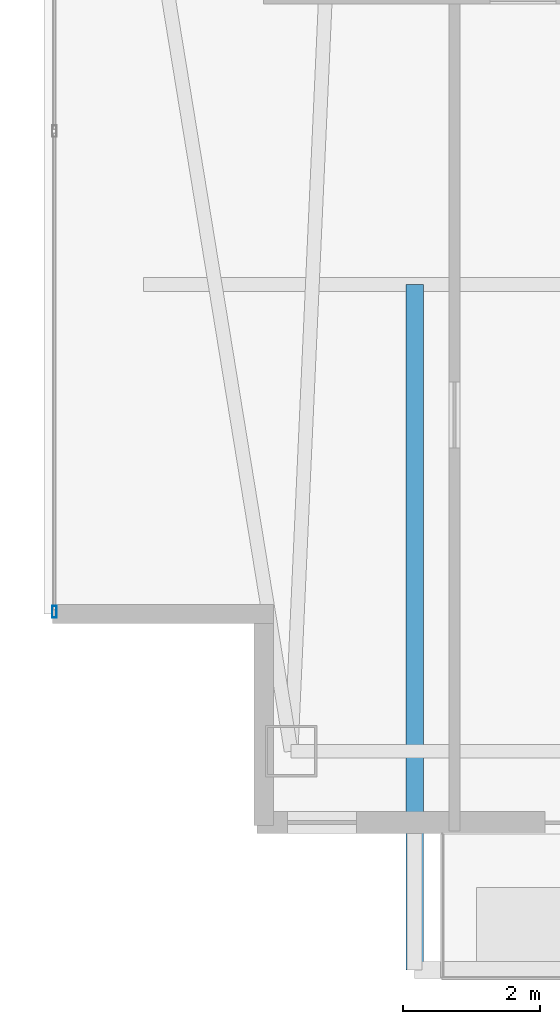
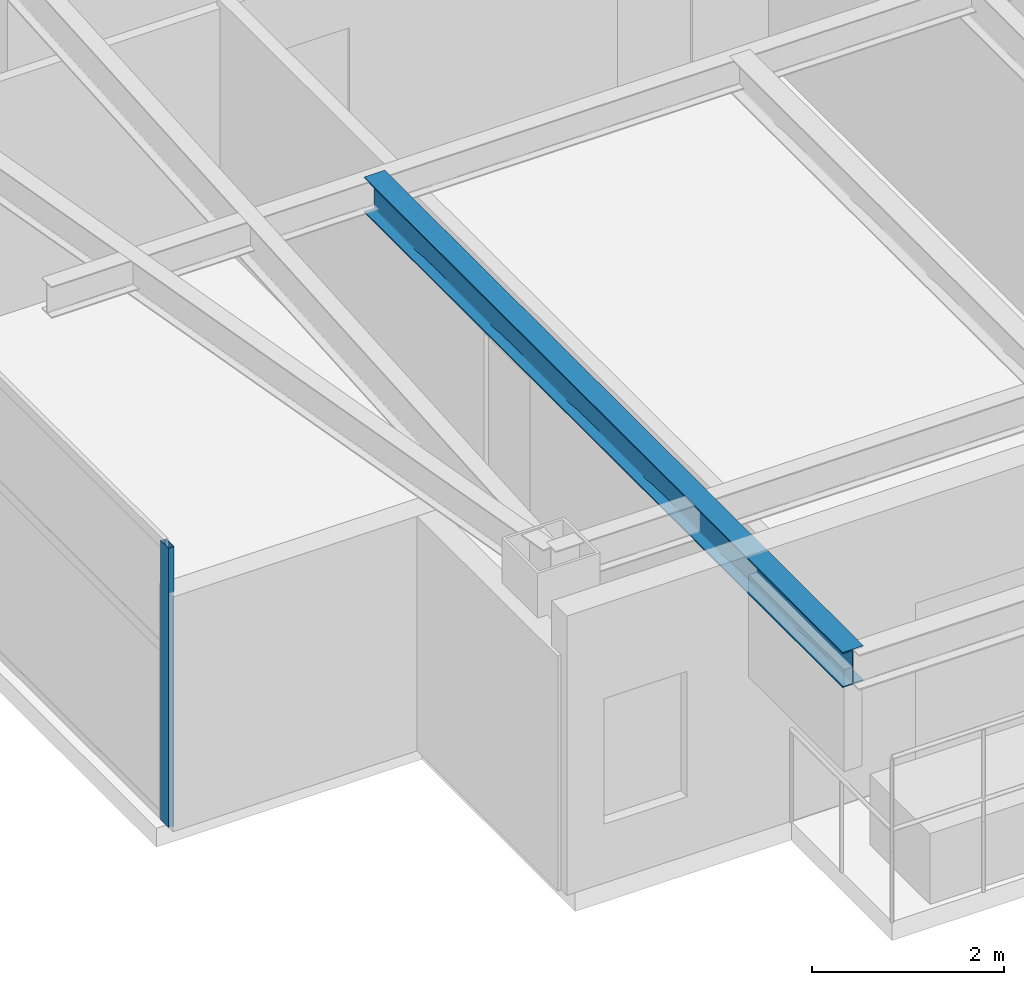
# One storey, part 2 of 28: 1 beam, 1 member, 1 element without a shape of its own.
"""IFC4 building model written with IfcOpenShell, lengths in metres."""

from ifc_helpers import new_model, si_unit, direction, frame, origin, origin_2d, place, context, subcontext, project, spatial, hollow_rectangle, i_section, extrude, material, layer, layer_set, material_profile, profile_set, type_object, element, aggregate, save


model = new_model("IFC4")

# Units and contexts
model_context = context("Model", 3, precision=1e-05, world=origin(), true_north=direction((0.0, 1.0)))
body_context = subcontext(model_context, "Body", "Model", "MODEL_VIEW")
ifc_project = project(units=[si_unit("LENGTHUNIT", "METRE"), si_unit("AREAUNIT", "SQUARE_METRE"), si_unit("VOLUMEUNIT", "CUBIC_METRE"), si_unit("PLANEANGLEUNIT", "RADIAN"), si_unit("MASSUNIT", "GRAM", prefix="KILO")], contexts=[model_context])

# Site, building, storey
site_placement = place(None, origin())
site = spatial("IfcSite", under=ifc_project, at=site_placement, CompositionType="ELEMENT")
building_placement = place(site_placement, origin())
building = spatial("IfcBuilding", under=site, at=building_placement, Name="Calvorn Quay Hotel", CompositionType="ELEMENT")
storey_placement = place(building_placement, frame((0.0, 0.0, 274.89990234375)))
storey = spatial("IfcBuildingStorey", under=building, at=storey_placement, Name="L68", CompositionType="ELEMENT", Elevation=274.89990234375)

# Beam
ifc_material_1 = material(Name="Steel Q355B", Category="steel")
ifc_material_profile_1 = material_profile(ifc_material_1, i_section(OverallWidth=0.25, OverallDepth=0.449951171875, WebThickness=0.011962890625, FlangeThickness=0.01611328125, FilletRadius=0.01611328125, at=origin_2d()), Name="HN450x250x12x16")
ifc_profile_set_1 = profile_set([ifc_material_profile_1], Name="Steel Q355B")
beam_type = type_object("IfcBeamType", Name="BM-CANT-BALC", PredefinedType="BEAM", material=ifc_profile_set_1)
beam_placement = place(storey_placement, frame((5.39990234375, 10.39990234375, 3.315185546875), z_axis=(0.0, -1.0, 0.0), x_axis=(1.0, 0.0, 0.0)))
element("IfcBeam", 1, at=beam_placement, inside=storey, type_object=beam_type, Name="Cantilever Balcony Beam BCB-L69-2A", PredefinedType="BEAM", context=body_context, shape_type="SweptSolid", body=[
    extrude(i_section(OverallWidth=0.25, OverallDepth=0.449951171875, WebThickness=0.011962890625, FlangeThickness=0.01611328125, FilletRadius=0.01611328125, at=origin_2d()), origin(), (0.0, 0.0, 1.0), 9.989990234375),
])

# Curtain wall, member
ifc_material_2 = material(Name="Champagne Bronze Anodised Aluminium and Low-E Glass", Category="aluminium")
ifc_layer = layer(ifc_material_2, 0.219970703125)
ifc_layer_set = layer_set([ifc_layer], Name="CW-SYS-Z4")
curtain_wall_type = type_object("IfcCurtainWallType", Name="CW-SYS-Z4", PredefinedType="NOTDEFINED", material=ifc_layer_set)
curtain_wall_placement = place(storey_placement, origin())
curtain_wall = element("IfcCurtainWall", 2, at=curtain_wall_placement, inside=storey, type_object=curtain_wall_type, Name="Tower West Curtain Wall (L68)", PredefinedType="NOTDEFINED")
ifc_material_3 = material(Name="Champagne Bronze Anodised Aluminium 6063-T6", Category="aluminium")
ifc_material_profile_2 = material_profile(ifc_material_3, hollow_rectangle(XDim=0.06494140625, YDim=0.169921875, WallThickness=0.00341796875, at=origin_2d()), Name="ALU-M170x65x3.5")
ifc_profile_set_2 = profile_set([ifc_material_profile_2], Name="Champagne Bronze Anodised Aluminium 6063-T6")
member_type = type_object("IfcMemberType", Name="CW-SYS-Z4-MUL", PredefinedType="MULLION", material=ifc_profile_set_2)
member_placement = place(storey_placement, frame((0.14990234375, 5.6298828125, 0.0), z_axis=(0.0, 0.0, 1.0), x_axis=(-1.0, 0.0, 0.0)))
member = element("IfcMember", 3, at=member_placement, type_object=member_type, Name="CW-L68-W mullion 1", PredefinedType="MULLION", context=body_context, shape_type="SweptSolid", body=[
    extrude(hollow_rectangle(XDim=0.06494140625, YDim=0.169921875, WallThickness=0.00341796875, at=origin_2d()), origin(), (0.0, 0.0, 1.0), 3.56005859375),
])
aggregate(curtain_wall, [member])

save(model, "model.ifc")
